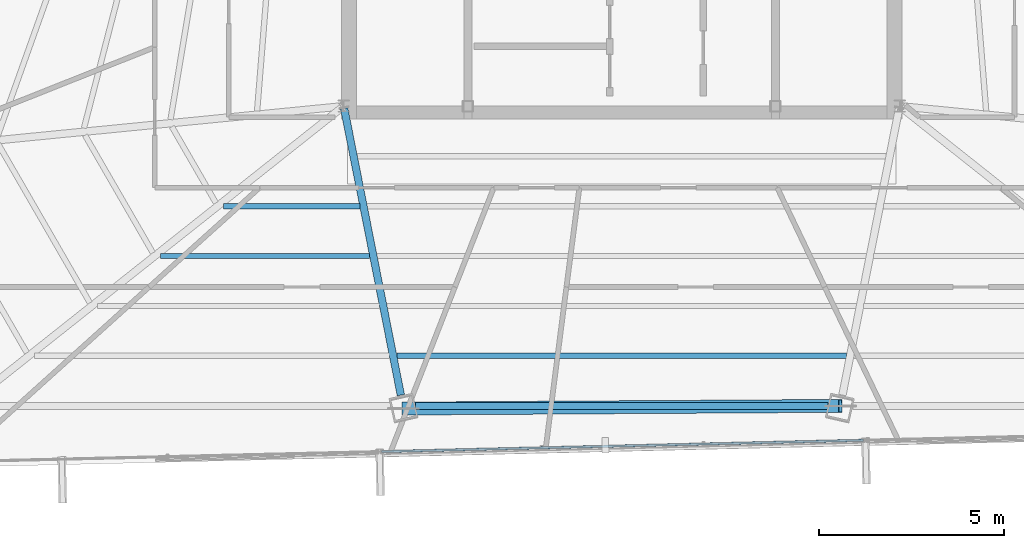
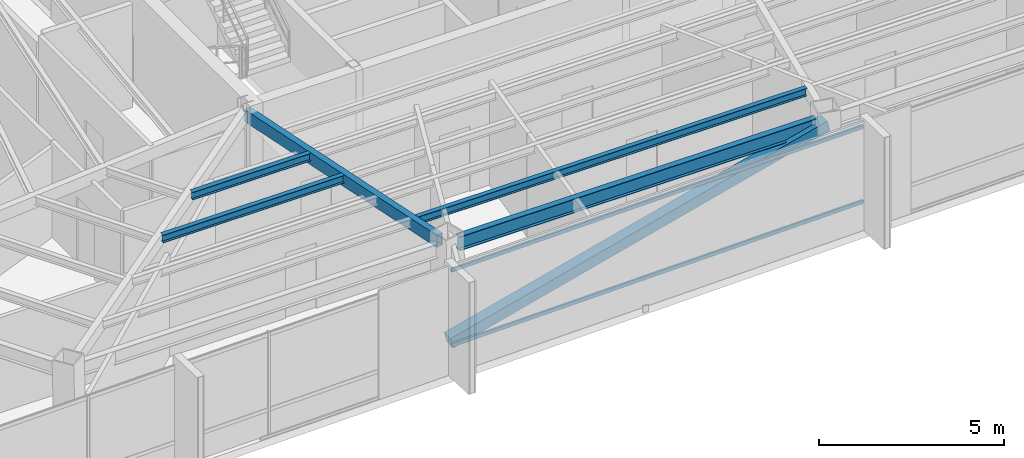
# One storey, part 12 of 46: 5 beams, 3 members, 1 element without a shape of its own.
"""IFC4 building model written with IfcOpenShell, lengths in metres."""

from ifc_helpers import new_model, si_unit, direction, frame, origin, origin_2d, place, context, subcontext, project, spatial, hollow_rectangle, i_section, extrude, source, transform, mapped, material, material_profile, profile_set, type_object, type_shapes, element, aggregate, save


model = new_model("IFC4")

# Units and contexts
model_context = context("Model", 3, precision=1e-05, world=origin(), true_north=direction((0.0, 1.0)))
body_context = subcontext(model_context, "Body", "Model", "MODEL_VIEW")
ifc_project = project(units=[si_unit("LENGTHUNIT", "METRE"), si_unit("AREAUNIT", "SQUARE_METRE"), si_unit("VOLUMEUNIT", "CUBIC_METRE"), si_unit("PLANEANGLEUNIT", "RADIAN"), si_unit("MASSUNIT", "GRAM", prefix="KILO")], contexts=[model_context])

# Site, building, storey
site_placement = place(None, origin())
site = spatial("IfcSite", under=ifc_project, at=site_placement, CompositionType="ELEMENT")
building_placement = place(site_placement, origin())
building = spatial("IfcBuilding", under=site, at=building_placement, Name="Caelisora Broadcast Tower", CompositionType="ELEMENT")
storey_placement = place(building_placement, frame((0.0, 0.0, 251.75)))
storey = spatial("IfcBuildingStorey", under=building, at=storey_placement, Name="L66", CompositionType="ELEMENT", Elevation=251.75)

# Beams
ifc_material_1 = material(Name="Steel Grade 350 (AS/NZS 3679.1)", Category="steel")
ifc_material_profile_1 = material_profile(ifc_material_1, i_section(OverallWidth=0.19091796875, OverallDepth=0.46044921875, WebThickness=0.010009765625, FlangeThickness=0.01611328125, at=origin_2d()), Name="Steel Grade 350 (AS/NZS 3679.1)")
ifc_profile_set_1 = profile_set([ifc_material_profile_1], Name="Steel Grade 350 (AS/NZS 3679.1)")
beam_type_1 = type_object("IfcBeamType", Name="PG06", PredefinedType="BEAM", material=ifc_profile_set_1)
shared_shape_1 = source(origin(), body_context, "Body", "SweptSolid", [
    extrude(i_section(OverallWidth=0.19091796875, OverallDepth=0.46044921875, WebThickness=0.010009765625, FlangeThickness=0.01611328125, at=origin_2d()), origin(), (0.0, 0.0, 1.0), 11.1240234375),
])
type_shapes(beam_type_1, [shared_shape_1])
beam_1_placement = place(storey_placement, frame((32.43798828125, 9.31201171875, 3.169921875), z_axis=(1.0, 0.0, 0.0), x_axis=(0.0, 1.0, 0.0)))
element("IfcBeam", 1, at=beam_1_placement, inside=storey, type_object=beam_type_1, Name="L66 beam PG06", PredefinedType="BEAM", context=body_context, shape_type="MappedRepresentation", body=[
    mapped(shared_shape_1, transform((0.0, 0.0, 0.0), scale=1.0)),
])
ifc_material_2 = material(Name="Steel Grade 350 (AS/NZS 1163 C350L0)", Category="steel")
ifc_material_profile_2 = material_profile(ifc_material_2, hollow_rectangle(XDim=0.199951171875, YDim=0.39990234375, WallThickness=0.012451171875, at=origin_2d()), Name="Steel Grade 350 (AS/NZS 1163 C350L0)")
ifc_profile_set_2 = profile_set([ifc_material_profile_2], Name="Steel Grade 350 (AS/NZS 1163 C350L0)")
beam_type_2 = type_object("IfcBeamType", Name="PG07", PredefinedType="BEAM", material=ifc_profile_set_2)
shared_shape_2 = source(origin(), body_context, "Body", "SweptSolid", [
    extrude(hollow_rectangle(XDim=0.199951171875, YDim=0.39990234375, WallThickness=0.012451171875, at=origin_2d()), origin(), (0.0, 0.0, 1.0), 7.886474609375),
])
type_shapes(beam_type_2, [shared_shape_2])
beam_2_placement = place(storey_placement, frame((30.51171875, 17.341064453125, 3.199951171875), z_axis=(0.19403800895, -0.980994011747, 0.0), x_axis=(0.980994011747, 0.19403800895, 0.0)))
element("IfcBeam", 2, at=beam_2_placement, inside=storey, type_object=beam_type_2, Name="L66 beam PG07", PredefinedType="BEAM", context=body_context, shape_type="MappedRepresentation", body=[
    mapped(shared_shape_2, transform((0.0, 0.0, 0.0), scale=1.0)),
])
ifc_material_profile_3 = material_profile(ifc_material_1, i_section(OverallWidth=0.14599609375, OverallDepth=0.256103515625, WebThickness=0.00634765625, FlangeThickness=0.010986328125, at=origin_2d()), Name="Steel Grade 350 (AS/NZS 3679.1)")
ifc_profile_set_3 = profile_set([ifc_material_profile_3], Name="Steel Grade 350 (AS/NZS 3679.1)")
beam_type_3 = type_object("IfcBeamType", Name="SB04", PredefinedType="JOIST", material=ifc_profile_set_3)
shared_shape_3 = source(origin(), body_context, "Body", "SweptSolid", [
    extrude(i_section(OverallWidth=0.14599609375, OverallDepth=0.256103515625, WebThickness=0.00634765625, FlangeThickness=0.010986328125, at=origin_2d()), origin(), (0.0, 0.0, 1.0), 3.676513671875),
])
beam_3_placement = place(storey_placement, frame((27.2578125, 14.7041015625, 3.27197265625), z_axis=(1.0, 0.0, 0.0), x_axis=(0.0, 1.0, 0.0)))
element("IfcBeam", 3, at=beam_3_placement, inside=storey, type_object=beam_type_3, Name="L66 beam SB04", PredefinedType="JOIST", context=body_context, shape_type="MappedRepresentation", body=[
    mapped(shared_shape_3, transform((0.0, 0.0, 0.0), scale=1.0)),
])
shared_shape_4 = source(origin(), body_context, "Body", "SweptSolid", [
    extrude(i_section(OverallWidth=0.14599609375, OverallDepth=0.256103515625, WebThickness=0.00634765625, FlangeThickness=0.010986328125, at=origin_2d()), origin(), (0.0, 0.0, 1.0), 5.64306640625),
])
beam_4_placement = place(storey_placement, frame((25.557861328125, 13.35595703125, 3.27197265625), z_axis=(1.0, 0.0, 0.0), x_axis=(0.0, 1.0, 0.0)))
element("IfcBeam", 4, at=beam_4_placement, inside=storey, type_object=beam_type_3, Name="L66 beam SB04", PredefinedType="JOIST", context=body_context, shape_type="MappedRepresentation", body=[
    mapped(shared_shape_4, transform((0.0, 0.0, 0.0), scale=1.0)),
])
shared_shape_5 = source(origin(), body_context, "Body", "SweptSolid", [
    extrude(i_section(OverallWidth=0.14599609375, OverallDepth=0.256103515625, WebThickness=0.00634765625, FlangeThickness=0.010986328125, at=origin_2d()), origin(), (0.0, 0.0, 1.0), 12.1357421875),
])
type_shapes(beam_type_3, [shared_shape_3, shared_shape_4, shared_shape_5])
beam_5_placement = place(storey_placement, frame((31.93212890625, 10.66015625, 3.27197265625), z_axis=(1.0, 0.0, 0.0), x_axis=(0.0, 1.0, 0.0)))
element("IfcBeam", 5, at=beam_5_placement, inside=storey, type_object=beam_type_3, Name="L66 beam SB04", PredefinedType="JOIST", context=body_context, shape_type="MappedRepresentation", body=[
    mapped(shared_shape_5, transform((0.0, 0.0, 0.0), scale=1.0)),
])

# Member
ifc_material_3 = material(Name="Steel Grade 450 (AS/NZS 1163 C450L0)", Category="steel")
ifc_material_profile_4 = material_profile(ifc_material_3, hollow_rectangle(XDim=0.35009765625, YDim=0.35009765625, WallThickness=0.012451171875, at=origin_2d()), Name="Steel Grade 450 (AS/NZS 1163 C450L0)")
ifc_profile_set_4 = profile_set([ifc_material_profile_4], Name="Steel Grade 450 (AS/NZS 1163 C450L0)")
member_type_1 = type_object("IfcMemberType", Name="BR05", PredefinedType="BRACE", material=ifc_profile_set_4)
shared_shape_6 = source(origin(), body_context, "Body", "SweptSolid", [
    extrude(hollow_rectangle(XDim=0.35009765625, YDim=0.35009765625, WallThickness=0.012451171875, at=origin_2d()), origin(), (0.0, 0.0, 1.0), 12.159912109375),
])
type_shapes(member_type_1, [shared_shape_6])
member_1_placement = place(storey_placement, frame((32.1162109375, 9.23974609375, 0.10009765625), z_axis=(0.969071158848, 0.005942881534, 0.246709892886), x_axis=(-0.006132439019, 0.999981196419, 0.0)))
element("IfcMember", 6, at=member_1_placement, inside=storey, type_object=member_type_1, Name="L66 perimeter brace BR05", PredefinedType="BRACE", context=body_context, shape_type="MappedRepresentation", body=[
    mapped(shared_shape_6, transform((0.0, 0.0, 0.0), scale=1.0)),
])

# Curtain wall, members
ifc_material_4 = material(Name="Unitised Aluminium Insulated Shadow-Box Spandrel Curtain Wall", Category="aluminium")
curtain_wall_type = type_object("IfcCurtainWallType", Name="CW-SP3", PredefinedType="NOTDEFINED", material=ifc_material_4)
curtain_wall_placement = place(storey_placement, origin())
curtain_wall = element("IfcCurtainWall", 7, at=curtain_wall_placement, inside=storey, type_object=curtain_wall_type, Name="L66 curtain wall CW-SP3", PredefinedType="NOTDEFINED")
ifc_material_5 = material(Name="Aluminium 6063-T6 Anodised Terracotta Bronze", Category="aluminium")
ifc_material_profile_5 = material_profile(ifc_material_5, hollow_rectangle(XDim=0.06005859375, YDim=0.1201171875, WallThickness=0.0029296875, at=origin_2d()), Name="Aluminium 6063-T6 Anodised Terracotta Bronze")
ifc_profile_set_5 = profile_set([ifc_material_profile_5], Name="Aluminium 6063-T6 Anodised Terracotta Bronze")
member_type_2 = type_object("IfcMemberType", Name="CWT-03", PredefinedType="USERDEFINED", material=ifc_profile_set_5)
shared_shape_7 = source(origin(), body_context, "Body", "SweptSolid", [
    extrude(hollow_rectangle(XDim=0.06005859375, YDim=0.1201171875, WallThickness=0.0029296875, at=origin_2d()), origin(), (0.0, 0.0, 1.0), 13.004150390625),
])
type_shapes(member_type_2, [shared_shape_7])
member_2_placement = place(storey_placement, frame((44.52392578125, 8.384521484375, 0.85009765625), z_axis=(-0.999722388563, -0.02356153235, 0.0), x_axis=(0.02356153235, -0.999722388563, 0.0)))
member_2 = element("IfcMember", 8, at=member_2_placement, type_object=member_type_2, Name="L66-CW-B06 transom #1", ObjectType="TRANSOM", PredefinedType="USERDEFINED", context=body_context, shape_type="MappedRepresentation", body=[
    mapped(shared_shape_7, transform((0.0, 0.0, 0.0), scale=1.0)),
])
member_3_placement = place(storey_placement, frame((44.52392578125, 8.384521484375, 3.320068359375), z_axis=(-0.999722388563, -0.02356153235, 0.0), x_axis=(0.02356153235, -0.999722388563, 0.0)))
member_3 = element("IfcMember", 9, at=member_3_placement, type_object=member_type_2, Name="L66-CW-B06 transom #2", ObjectType="TRANSOM", PredefinedType="USERDEFINED", context=body_context, shape_type="MappedRepresentation", body=[
    mapped(shared_shape_7, transform((0.0, 0.0, 0.0), scale=1.0)),
])
aggregate(curtain_wall, [member_2, member_3])

save(model, "model.ifc")
